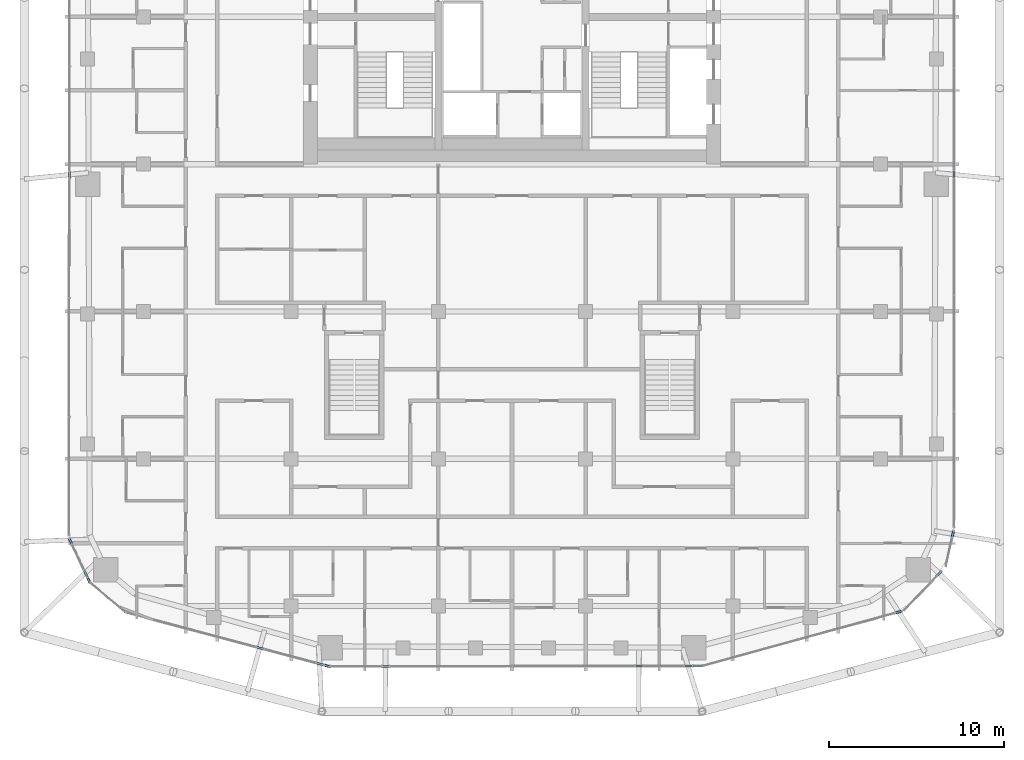
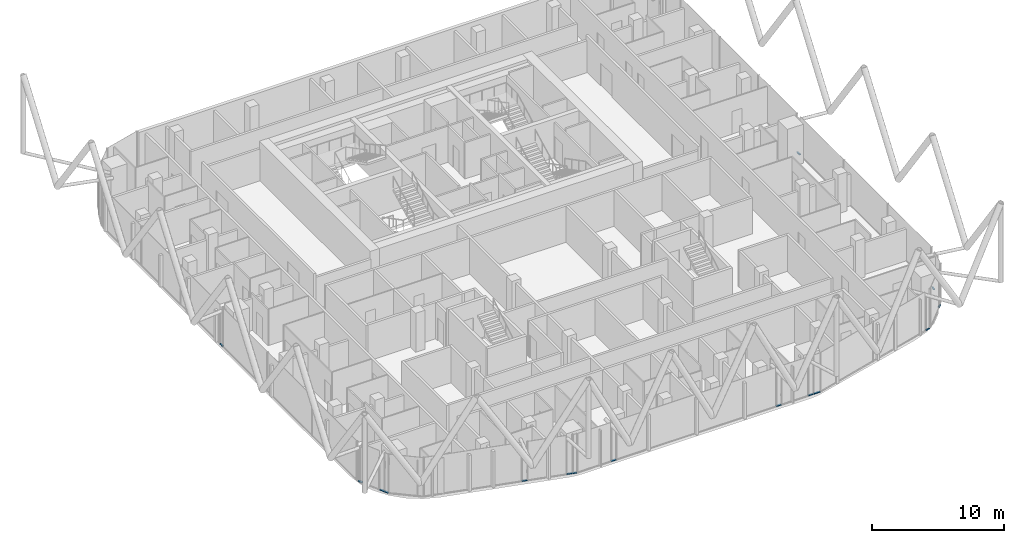
# One storey, part 12 of 31: 15 members, 15 elements without a shape of their own.
"""IFC4 building model written with IfcOpenShell, lengths in metres."""

from ifc_helpers import new_model, si_unit, direction, frame, origin, origin_2d, place, context, subcontext, project, spatial, rectangle, extrude, material, layer, layer_set, material_profile, profile_set, type_object, element, aggregate, save


model = new_model("IFC4")

# Units and contexts
model_context = context("Model", 3, precision=1e-05, world=origin(), true_north=direction((0.0, 1.0)))
body_context = subcontext(model_context, "Body", "Model", "MODEL_VIEW")
ifc_project = project(units=[si_unit("LENGTHUNIT", "METRE"), si_unit("AREAUNIT", "SQUARE_METRE"), si_unit("VOLUMEUNIT", "CUBIC_METRE"), si_unit("PLANEANGLEUNIT", "RADIAN"), si_unit("MASSUNIT", "GRAM", prefix="KILO")], contexts=[model_context])

# Site, building, storey
site_placement = place(None, origin())
site = spatial("IfcSite", under=ifc_project, at=site_placement, CompositionType="ELEMENT")
building_placement = place(site_placement, origin())
building = spatial("IfcBuilding", under=site, at=building_placement, Name="Marenta Gate Hotel Tower", CompositionType="ELEMENT")
storey_placement = place(building_placement, frame((0.0, 0.0, 234.5)))
storey = spatial("IfcBuildingStorey", under=building, at=storey_placement, Name="L55", CompositionType="ELEMENT", Elevation=234.5)

# Curtain wall, member
ifc_material_1 = material(Name="Tinted insulated glass in bronze anodised frame", Category="glass")
ifc_layer = layer(ifc_material_1, 0.1201171875)
ifc_layer_set = layer_set([ifc_layer], Name="Tinted insulated glass in bronze anodised frame")
curtain_wall_type = type_object("IfcCurtainWallType", Name="Tower unitised curtain wall CW1", PredefinedType="NOTDEFINED", material=ifc_layer_set)
curtain_wall_1_placement = place(storey_placement, origin())
curtain_wall_1 = element("IfcCurtainWall", 1, at=curtain_wall_1_placement, inside=storey, type_object=curtain_wall_type, Name="CW1 run G07", PredefinedType="NOTDEFINED")
ifc_material_2 = material(Name="Bronze anodised aluminium", Category="aluminium")
ifc_material_profile = material_profile(ifc_material_2, rectangle(XDim=0.1201171875, YDim=0.06005859375, at=origin_2d()), Name="Transom CW1 60x120 bronze anodised aluminium")
ifc_profile_set = profile_set([ifc_material_profile], Name="Bronze anodised aluminium")
member_type = type_object("IfcMemberType", Name="Transom CW1 60x120 bronze anodised aluminium", PredefinedType="USERDEFINED", material=ifc_profile_set)
member_1_placement = place(storey_placement, frame((-25.240478515625, -0.430419921875, 0.030029296875), z_axis=(-0.001235329508, -0.99999923698, 0.0), x_axis=(0.99999923698, -0.001235329508, 0.0)))
member_1 = element("IfcMember", 2, at=member_1_placement, type_object=member_type, Name="CW1 transom 1.1", ObjectType="TRANSOM", PredefinedType="USERDEFINED", context=body_context, shape_type="SweptSolid", body=[
    extrude(rectangle(XDim=0.1201171875, YDim=0.06005859375, at=origin_2d()), origin(), (0.0, 0.0, 1.0), 0.395263671875),
])
aggregate(curtain_wall_1, [member_1])

curtain_wall_2_placement = place(storey_placement, origin())
curtain_wall_2 = element("IfcCurtainWall", 3, at=curtain_wall_2_placement, inside=storey, type_object=curtain_wall_type, Name="CW1 run G09", PredefinedType="NOTDEFINED")
member_2_placement = place(storey_placement, frame((-25.24755859375, -21.34814453125, 0.030029296875), z_axis=(0.423272916218, -0.906002228693, 0.0), x_axis=(0.906002228693, 0.423272916218, 0.0)))
member_2 = element("IfcMember", 4, at=member_2_placement, type_object=member_type, Name="CW1 transom 1.1", ObjectType="TRANSOM", PredefinedType="USERDEFINED", context=body_context, shape_type="SweptSolid", body=[
    extrude(rectangle(XDim=0.1201171875, YDim=0.06005859375, at=origin_2d()), origin(), (0.0, 0.0, 1.0), 0.344970703125),
])
aggregate(curtain_wall_2, [member_2])

curtain_wall_3_placement = place(storey_placement, origin())
curtain_wall_3 = element("IfcCurtainWall", 5, at=curtain_wall_3_placement, inside=storey, type_object=curtain_wall_type, Name="CW1 run G11", PredefinedType="NOTDEFINED")
member_3_placement = place(storey_placement, frame((-24.406005859375, -23.149169921875, 0.030029296875), z_axis=(0.42333108841, -0.905975049097, 0.0), x_axis=(0.905975049097, 0.42333108841, 0.0)))
member_3 = element("IfcMember", 6, at=member_3_placement, type_object=member_type, Name="CW1 transom 1.1", ObjectType="TRANSOM", PredefinedType="USERDEFINED", context=body_context, shape_type="SweptSolid", body=[
    extrude(rectangle(XDim=0.1201171875, YDim=0.06005859375, at=origin_2d()), origin(), (0.0, 0.0, 1.0), 0.419921875),
])
aggregate(curtain_wall_3, [member_3])

curtain_wall_4_placement = place(storey_placement, origin())
curtain_wall_4 = element("IfcCurtainWall", 7, at=curtain_wall_4_placement, inside=storey, type_object=curtain_wall_type, Name="CW1 run G12", PredefinedType="NOTDEFINED")
member_4_placement = place(storey_placement, frame((-24.202880859375, -23.583740234375, 0.030029296875), z_axis=(0.422602733719, -0.90631502771, 0.0), x_axis=(0.90631502771, 0.422602733719, 0.0)))
member_4 = element("IfcMember", 8, at=member_4_placement, type_object=member_type, Name="CW1 transom 1.1", ObjectType="TRANSOM", PredefinedType="USERDEFINED", context=body_context, shape_type="SweptSolid", body=[
    extrude(rectangle(XDim=0.1201171875, YDim=0.06005859375, at=origin_2d()), origin(), (0.0, 0.0, 1.0), 0.28369140625),
])
aggregate(curtain_wall_4, [member_4])

curtain_wall_5_placement = place(storey_placement, origin())
curtain_wall_5 = element("IfcCurtainWall", 9, at=curtain_wall_5_placement, inside=storey, type_object=curtain_wall_type, Name="CW1 run G15", PredefinedType="NOTDEFINED")
member_5_placement = place(storey_placement, frame((-14.55029296875, -27.544677734375, 0.030029296875), z_axis=(0.966379102199, -0.257121432076, 0.0), x_axis=(0.257121432076, 0.966379102199, 0.0)))
member_5 = element("IfcMember", 10, at=member_5_placement, type_object=member_type, Name="CW1 transom 1.1", ObjectType="TRANSOM", PredefinedType="USERDEFINED", context=body_context, shape_type="SweptSolid", body=[
    extrude(rectangle(XDim=0.1201171875, YDim=0.06005859375, at=origin_2d()), origin(), (0.0, 0.0, 1.0), 0.39306640625),
])
aggregate(curtain_wall_5, [member_5])

curtain_wall_6_placement = place(storey_placement, origin())
curtain_wall_6 = element("IfcCurtainWall", 11, at=curtain_wall_6_placement, inside=storey, type_object=curtain_wall_type, Name="CW1 run G17", PredefinedType="NOTDEFINED")
member_6_placement = place(storey_placement, frame((-11.14599609375, -28.450439453125, 0.030029296875), z_axis=(0.966371226399, -0.257151031083, 0.0), x_axis=(0.257151031083, 0.966371226399, 0.0)))
member_6 = element("IfcMember", 12, at=member_6_placement, type_object=member_type, Name="CW1 transom 1.1", ObjectType="TRANSOM", PredefinedType="USERDEFINED", context=body_context, shape_type="SweptSolid", body=[
    extrude(rectangle(XDim=0.1201171875, YDim=0.06005859375, at=origin_2d()), origin(), (0.0, 0.0, 1.0), 0.415771484375),
])
aggregate(curtain_wall_6, [member_6])

curtain_wall_7_placement = place(storey_placement, origin())
curtain_wall_7 = element("IfcCurtainWall", 13, at=curtain_wall_7_placement, inside=storey, type_object=curtain_wall_type, Name="CW1 run G18", PredefinedType="NOTDEFINED")
member_7_placement = place(storey_placement, frame((-10.686279296875, -28.57275390625, 0.030029296875), z_axis=(0.966262873917, -0.257557874058, 0.0), x_axis=(0.257557874058, 0.966262873917, 0.0)))
member_7 = element("IfcMember", 14, at=member_7_placement, type_object=member_type, Name="CW1 transom 1.1", ObjectType="TRANSOM", PredefinedType="USERDEFINED", context=body_context, shape_type="SweptSolid", body=[
    extrude(rectangle(XDim=0.1201171875, YDim=0.06005859375, at=origin_2d()), origin(), (0.0, 0.0, 1.0), 0.2900390625),
])
aggregate(curtain_wall_7, [member_7])

curtain_wall_8_placement = place(storey_placement, origin())
curtain_wall_8 = element("IfcCurtainWall", 15, at=curtain_wall_8_placement, inside=storey, type_object=curtain_wall_type, Name="CW1 run G20", PredefinedType="NOTDEFINED")
member_8_placement = place(storey_placement, frame((-7.3828125, -28.642578125, 0.030029296875), z_axis=(0.99999826396, 0.001863350802, 0.0), x_axis=(-0.001863350802, 0.99999826396, 0.0)))
member_8 = element("IfcMember", 16, at=member_8_placement, type_object=member_type, Name="CW1 transom 1.1", ObjectType="TRANSOM", PredefinedType="USERDEFINED", context=body_context, shape_type="SweptSolid", body=[
    extrude(rectangle(XDim=0.1201171875, YDim=0.06005859375, at=origin_2d()), origin(), (0.0, 0.0, 1.0), 0.39306640625),
])
aggregate(curtain_wall_8, [member_8])

curtain_wall_9_placement = place(storey_placement, origin())
curtain_wall_9 = element("IfcCurtainWall", 17, at=curtain_wall_9_placement, inside=storey, type_object=curtain_wall_type, Name="CW1 run G22", PredefinedType="NOTDEFINED")
member_9_placement = place(storey_placement, frame((7.0693359375, -28.618896484375, 0.030029296875), z_axis=(0.99999826396, 0.001863350802, 0.0), x_axis=(-0.001863350802, 0.99999826396, 0.0)))
member_9 = element("IfcMember", 18, at=member_9_placement, type_object=member_type, Name="CW1 transom 1.1", ObjectType="TRANSOM", PredefinedType="USERDEFINED", context=body_context, shape_type="SweptSolid", body=[
    extrude(rectangle(XDim=0.1201171875, YDim=0.06005859375, at=origin_2d()), origin(), (0.0, 0.0, 1.0), 0.39306640625),
])
aggregate(curtain_wall_9, [member_9])

curtain_wall_10_placement = place(storey_placement, origin())
curtain_wall_10 = element("IfcCurtainWall", 19, at=curtain_wall_10_placement, inside=storey, type_object=curtain_wall_type, Name="CW1 run G24", PredefinedType="NOTDEFINED")
member_10_placement = place(storey_placement, frame((9.85498046875, -28.6142578125, 0.030029296875), z_axis=(0.9999984374, 0.001767822812, 0.0), x_axis=(-0.001767822812, 0.9999984374, 0.0)))
member_10 = element("IfcMember", 20, at=member_10_placement, type_object=member_type, Name="CW1 transom 1.1", ObjectType="TRANSOM", PredefinedType="USERDEFINED", context=body_context, shape_type="SweptSolid", body=[
    extrude(rectangle(XDim=0.1201171875, YDim=0.06005859375, at=origin_2d()), origin(), (0.0, 0.0, 1.0), 0.414306640625),
])
aggregate(curtain_wall_10, [member_10])

curtain_wall_11_placement = place(storey_placement, origin())
curtain_wall_11 = element("IfcCurtainWall", 21, at=curtain_wall_11_placement, inside=storey, type_object=curtain_wall_type, Name="CW1 run G25", PredefinedType="NOTDEFINED")
member_11_placement = place(storey_placement, frame((10.3291015625, -28.61328125, 0.030029296875), z_axis=(0.999999095908, 0.001344687265, 0.0), x_axis=(-0.001344687265, 0.999999095908, 0.0)))
member_11 = element("IfcMember", 22, at=member_11_placement, type_object=member_type, Name="CW1 transom 1.1", ObjectType="TRANSOM", PredefinedType="USERDEFINED", context=body_context, shape_type="SweptSolid", body=[
    extrude(rectangle(XDim=0.1201171875, YDim=0.06005859375, at=origin_2d()), origin(), (0.0, 0.0, 1.0), 0.544677734375),
])
aggregate(curtain_wall_11, [member_11])

curtain_wall_12_placement = place(storey_placement, origin())
curtain_wall_12 = element("IfcCurtainWall", 23, at=curtain_wall_12_placement, inside=storey, type_object=curtain_wall_type, Name="CW1 run G27", PredefinedType="NOTDEFINED")
member_12_placement = place(storey_placement, frame((21.87744140625, -25.584716796875, 0.030029296875), z_axis=(0.964240401842, 0.26502914454, 0.0), x_axis=(-0.26502914454, 0.964240401842, 0.0)))
member_12 = element("IfcMember", 24, at=member_12_placement, type_object=member_type, Name="CW1 transom 1.1", ObjectType="TRANSOM", PredefinedType="USERDEFINED", context=body_context, shape_type="SweptSolid", body=[
    extrude(rectangle(XDim=0.1201171875, YDim=0.06005859375, at=origin_2d()), origin(), (0.0, 0.0, 1.0), 0.3564453125),
])
aggregate(curtain_wall_12, [member_12])

curtain_wall_13_placement = place(storey_placement, origin())
curtain_wall_13 = element("IfcCurtainWall", 25, at=curtain_wall_13_placement, inside=storey, type_object=curtain_wall_type, Name="CW1 run G29", PredefinedType="NOTDEFINED")
member_13_placement = place(storey_placement, frame((24.244873046875, -23.461669921875, 0.030029296875), z_axis=(0.69228754022, 0.721621758026, 0.0), x_axis=(-0.721621758026, 0.69228754022, 0.0)))
member_13 = element("IfcMember", 26, at=member_13_placement, type_object=member_type, Name="CW1 transom 1.1", ObjectType="TRANSOM", PredefinedType="USERDEFINED", context=body_context, shape_type="SweptSolid", body=[
    extrude(rectangle(XDim=0.1201171875, YDim=0.06005859375, at=origin_2d()), origin(), (0.0, 0.0, 1.0), 0.3330078125),
])
aggregate(curtain_wall_13, [member_13])

curtain_wall_14_placement = place(storey_placement, origin())
curtain_wall_14 = element("IfcCurtainWall", 27, at=curtain_wall_14_placement, inside=storey, type_object=curtain_wall_type, Name="CW1 run G31", PredefinedType="NOTDEFINED")
member_14_placement = place(storey_placement, frame((25.1005859375, -21.254638671875, 0.030029296875), z_axis=(0.216620497047, 0.976255888719, 0.0), x_axis=(-0.976255888719, 0.216620497047, 0.0)))
member_14 = element("IfcMember", 28, at=member_14_placement, type_object=member_type, Name="CW1 transom 1.1", ObjectType="TRANSOM", PredefinedType="USERDEFINED", context=body_context, shape_type="SweptSolid", body=[
    extrude(rectangle(XDim=0.1201171875, YDim=0.06005859375, at=origin_2d()), origin(), (0.0, 0.0, 1.0), 0.33349609375),
])
aggregate(curtain_wall_14, [member_14])

curtain_wall_15_placement = place(storey_placement, origin())
curtain_wall_15 = element("IfcCurtainWall", 29, at=curtain_wall_15_placement, inside=storey, type_object=curtain_wall_type, Name="CW1 run G33", PredefinedType="NOTDEFINED")
member_15_placement = place(storey_placement, frame((25.214111328125, -0.762939453125, 0.030029296875), z_axis=(0.0, 1.0, 0.0), x_axis=(-1.0, 0.0, 0.0)))
member_15 = element("IfcMember", 30, at=member_15_placement, type_object=member_type, Name="CW1 transom 1.1", ObjectType="TRANSOM", PredefinedType="USERDEFINED", context=body_context, shape_type="SweptSolid", body=[
    extrude(rectangle(XDim=0.1201171875, YDim=0.06005859375, at=origin_2d()), origin(), (0.0, 0.0, 1.0), 0.39501953125),
])
aggregate(curtain_wall_15, [member_15])

save(model, "model.ifc")
